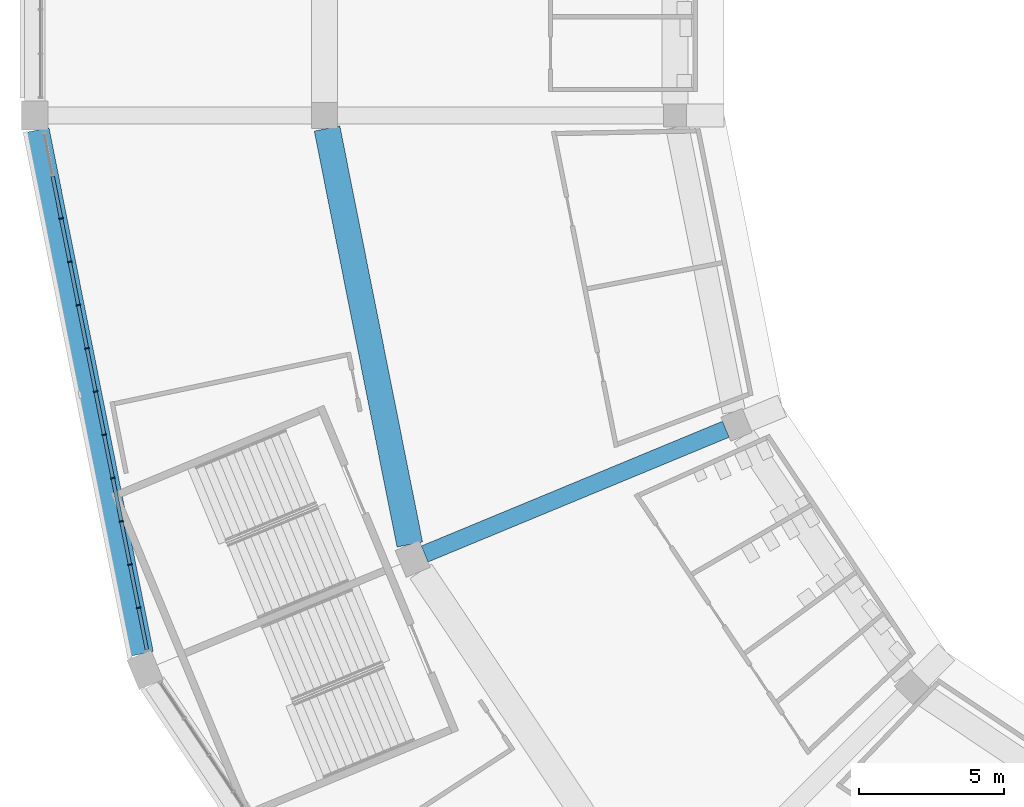
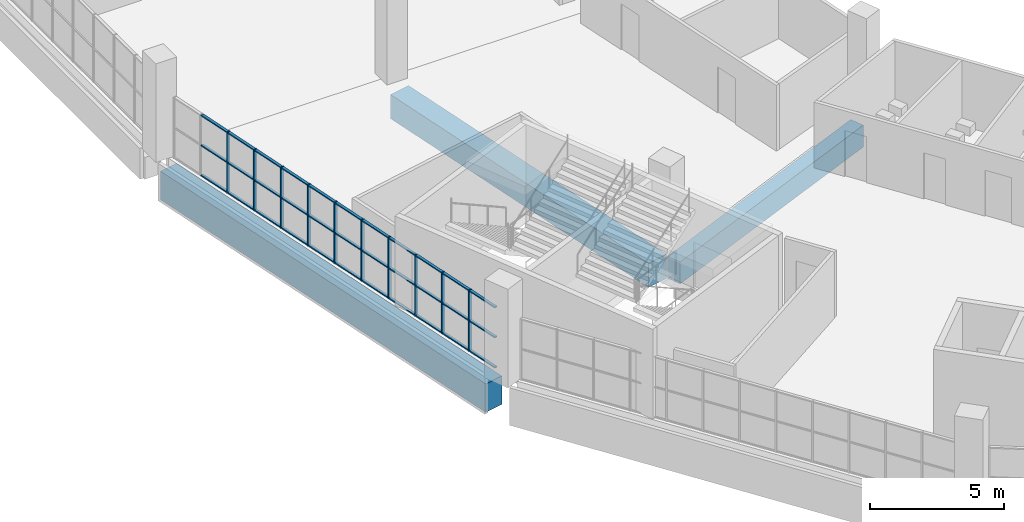
# One storey, part 8 of 199: 43 members, 3 beams, 1 element without a shape of its own.
"""IFC4 building model written with IfcOpenShell, lengths in metres."""

import ifcopenshell
import ifcopenshell.guid

model = None  # the IFC model being written
_history = None  # IfcOwnerHistory: only IFC2X3 demands one
_inside = {}  # id of a spatial element -> (the spatial element, [elements in it])
_under = {}  # id of a project, library or spatial element -> (it, [spatial elements below it])
_declared = {}  # id of a project -> (the project, [libraries it declares])
_typed = {}  # id of a type object -> (the type object, [elements of that type])
_made_of = {}  # id of a material, layer set ... -> (it, [elements and type objects made of it])


def new_model(schema):
    """Start an empty IFC model of exactly this schema.

    Asked for "IFC4X3", IfcOpenShell would pick the latest addendum, in which some entities
    have other attributes; the version numbers below select the first issue.
    IFC2X3 requires an IfcOwnerHistory on every rooted entity: one is made here for all.
    """
    global model, _history
    if schema == "IFC4X3":
        model = ifcopenshell.file(schema_version=(4, 3, 0, 0))
    else:
        model = ifcopenshell.file(schema=schema)
    _inside.clear()
    _under.clear()
    _declared.clear()
    _typed.clear()
    _made_of.clear()
    _history = None
    if model.schema == "IFC2X3":
        org = make("IfcOrganization", Name="unknown")
        user = make(
            "IfcPersonAndOrganization",
            ThePerson=make("IfcPerson", FamilyName="unknown"),
            TheOrganization=org,
        )
        app = make(
            "IfcApplication",
            ApplicationDeveloper=org,
            Version="unknown",
            ApplicationFullName="unknown",
            ApplicationIdentifier="unknown",
        )
        _history = make(
            "IfcOwnerHistory",
            OwningUser=user,
            OwningApplication=app,
            ChangeAction="ADDED",
            CreationDate=0,
        )
    return model


def make(cls, **values):
    """One entity of the class cls with the attributes given. An attribute that is None is left unset."""
    return model.create_entity(
        cls, **{name: value for name, value in values.items() if value is not None}
    )


def rooted(cls, **values):
    """An entity with a GlobalId (a new one), such as an element, a storey or a relation."""
    return make(cls, GlobalId=ifcopenshell.guid.new(), OwnerHistory=_history, **values)


def si_unit(unit_type, name, prefix=None):
    """IfcSIUnit, for example si_unit("LENGTHUNIT", "METRE", prefix="MILLI")."""
    return make("IfcSIUnit", UnitType=unit_type, Prefix=prefix, Name=name)


def assignment(units):
    """IfcUnitAssignment: the units of a project."""
    return None if units is None else make("IfcUnitAssignment", Units=units)


def point(xyz):
    """IfcCartesianPoint."""
    return None if xyz is None else make("IfcCartesianPoint", Coordinates=xyz)


def direction(xyz):
    """IfcDirection."""
    return None if xyz is None else make("IfcDirection", DirectionRatios=xyz)


def frame(location, z_axis=None, x_axis=None):
    """IfcAxis2Placement3D, a coordinate frame: its origin and axes. An axis left out is left unset."""
    return make(
        "IfcAxis2Placement3D",
        Location=point(location),
        Axis=direction(z_axis),
        RefDirection=direction(x_axis),
    )


def frame_2d(location, x_axis=None):
    """IfcAxis2Placement2D, a coordinate frame in the plane: its origin and x axis."""
    return make(
        "IfcAxis2Placement2D", Location=point(location), RefDirection=direction(x_axis)
    )


def origin():
    """The frame at (0, 0, 0) with its axes left unset."""
    return frame((0.0, 0.0, 0.0))


def origin_2d():
    """The frame at (0, 0) in the plane with its x axis left unset."""
    return frame_2d((0.0, 0.0))


def place(relative_to, where):
    """IfcLocalPlacement: puts the frame where relative to a parent placement (None: the world)."""
    return make(
        "IfcLocalPlacement", PlacementRelTo=relative_to, RelativePlacement=where
    )


def context(
    kind, dimensions, precision=None, world=None, true_north=None, identifier=None
):
    """IfcGeometricRepresentationContext, for example the 3D "Model" context."""
    return make(
        "IfcGeometricRepresentationContext",
        ContextIdentifier=identifier,
        ContextType=kind,
        CoordinateSpaceDimension=dimensions,
        Precision=precision,
        WorldCoordinateSystem=world,
        TrueNorth=true_north,
    )


def subcontext(parent, identifier, kind, view, scale=None):
    """IfcGeometricRepresentationSubContext, for example "Body" below "Model"."""
    return make(
        "IfcGeometricRepresentationSubContext",
        ContextIdentifier=identifier,
        ContextType=kind,
        ParentContext=parent,
        TargetScale=scale,
        TargetView=view,
    )


def project(units=None, contexts=None):
    """IfcProject with its units and contexts."""
    return rooted(
        "IfcProject",
        Name="project",
        RepresentationContexts=contexts,
        UnitsInContext=assignment(units),
    )


def spatial(cls, under=None, at=None, **own):
    """A site, building, storey or space (cls), placed at a placement, below another one or the project."""
    s = rooted(cls, ObjectPlacement=at, **own)
    if under is not None:
        _under.setdefault(under.id(), (under, []))[1].append(s)
    return s


def profile(cls, at=None, kind="AREA", **sizes):
    """A parametric profile (cls). Its sizes go by their IFC names, for example OverallWidth=200.0."""
    return make(cls, ProfileType=kind, Position=at, **sizes)


def rectangle(**sizes):
    """IfcRectangleProfileDef."""
    return profile("IfcRectangleProfileDef", **sizes)


def extrude(swept, where, along, depth):
    """IfcExtrudedAreaSolid: the profile swept, set in the frame where, extruded along a direction by depth."""
    return make(
        "IfcExtrudedAreaSolid",
        SweptArea=swept,
        Position=where,
        ExtrudedDirection=direction(along),
        Depth=depth,
    )


def shape(context_of_items, identifier, shape_type, items):
    """IfcShapeRepresentation: the items that make up one representation, for example the "Body"."""
    return make(
        "IfcShapeRepresentation",
        ContextOfItems=context_of_items,
        RepresentationIdentifier=identifier,
        RepresentationType=shape_type,
        Items=items,
    )


def material(Name=None, Category=None):
    """IfcMaterial."""
    return make("IfcMaterial", Name=Name, Category=Category)


def material_profile(
    of_material, cross_section, Name=None, Category=None, Priority=None
):
    """IfcMaterialProfile: a cross section and its material."""
    return make(
        "IfcMaterialProfile",
        Name=Name,
        Material=of_material,
        Profile=cross_section,
        Priority=Priority,
        Category=Category,
    )


def profile_set(profiles, Name=None, composite=None):
    """IfcMaterialProfileSet."""
    return make(
        "IfcMaterialProfileSet",
        Name=Name,
        MaterialProfiles=profiles,
        CompositeProfile=composite,
    )


def made_of(thing, what):
    """Note that an element or type object is made of a material, layer set ...; save() writes the relation."""
    if what is not None:
        _made_of.setdefault(what.id(), (what, []))[1].append(thing)
    return thing


def type_object(cls, material=None, **own):
    """A type object (cls), such as IfcWallType, which elements share."""
    return made_of(rooted(cls, **own), material)


def element(
    cls,
    number,
    at=None,
    inside=None,
    cuts=None,
    type_object=None,
    material=None,
    context=None,
    identifier="Body",
    shape_type=None,
    held_by="IfcProductDefinitionShape",
    body=None,
    shapes=None,
    **own,
):
    """One element of the class cls, such as IfcWall. Its Tag is "e" and its number.

    at: its placement. inside: the storey or other place that contains it. cuts: it is an
    opening in that element (IfcRelVoidsElement). A single representation is given by context,
    identifier, shape_type and body (its items); several are given by shapes. held_by: the class
    of the entity that holds the representations. save() writes the other relations.
    """
    e = rooted(cls, Tag="e%d" % number, ObjectPlacement=at, **own)
    if body is not None:
        shapes = [shape(context, identifier, shape_type, body)]
    if shapes is not None:
        e.Representation = make(held_by, Representations=shapes)
    if inside is not None:
        _inside.setdefault(inside.id(), (inside, []))[1].append(e)
    if cuts is not None:
        rooted(
            "IfcRelVoidsElement", RelatingBuildingElement=cuts, RelatedOpeningElement=e
        )
    if type_object is not None:
        _typed.setdefault(type_object.id(), (type_object, []))[1].append(e)
    return made_of(e, material)


def aggregate(whole, parts):
    """IfcRelAggregates: a whole, such as a stair, and the parts it consists of."""
    return rooted("IfcRelAggregates", RelatingObject=whole, RelatedObjects=parts)


def save(model, path):
    """Write the relations noted so far, then the file.

    IfcRelAggregates (storeys below a building ...), IfcRelContainedInSpatialStructure (elements
    in a storey), IfcRelDefinesByType, IfcRelAssociatesMaterial and IfcRelDeclares: one each for
    every whole, place, type object, material and project.
    """
    for whole, parts in _under.values():
        aggregate(whole, parts)
    for where, things in _inside.values():
        rooted(
            "IfcRelContainedInSpatialStructure",
            RelatedElements=things,
            RelatingStructure=where,
        )
    for kind, things in _typed.values():
        rooted("IfcRelDefinesByType", RelatedObjects=things, RelatingType=kind)
    for what, things in _made_of.values():
        rooted("IfcRelAssociatesMaterial", RelatedObjects=things, RelatingMaterial=what)
    for by, libraries in _declared.values():
        rooted("IfcRelDeclares", RelatingContext=by, RelatedDefinitions=libraries)
    model.write(path)


model = new_model("IFC4")

# Units and contexts
model_context = context("Model", 3, precision=1e-05, world=origin(), true_north=direction((0.0, 1.0)))
body_context = subcontext(model_context, "Body", "Model", "MODEL_VIEW")
ifc_project = project(units=[si_unit("LENGTHUNIT", "METRE"), si_unit("AREAUNIT", "SQUARE_METRE"), si_unit("VOLUMEUNIT", "CUBIC_METRE"), si_unit("PLANEANGLEUNIT", "RADIAN"), si_unit("MASSUNIT", "GRAM", prefix="KILO")], contexts=[model_context])

# Site, building, storey
site_placement = place(None, origin())
site = spatial("IfcSite", under=ifc_project, at=site_placement, CompositionType="ELEMENT")
building_placement = place(site_placement, origin())
building = spatial("IfcBuilding", under=site, at=building_placement, Name="Ogive Plaza Stadium", CompositionType="ELEMENT")
storey_placement = place(building_placement, frame((0.0, 0.0, 4.5)))
storey = spatial("IfcBuildingStorey", under=building, at=storey_placement, Name="L01", CompositionType="ELEMENT", Elevation=4.5)

# Curtain wall, members
ifc_material_1 = material(Name="Bronze-anodised aluminium with laminated glass", Category="aluminium")
curtain_wall_type = type_object("IfcCurtainWallType", Name="Lancet curtain wall", PredefinedType="NOTDEFINED", material=ifc_material_1)
curtain_wall_placement = place(storey_placement, origin())
curtain_wall = element("IfcCurtainWall", 1, at=curtain_wall_placement, inside=storey, type_object=curtain_wall_type, Name="CURTAIN WALL B20 L01", PredefinedType="NOTDEFINED")
ifc_material_2 = material(Name="Bronze-anodised aluminium", Category="aluminium")
ifc_material_profile_1 = material_profile(ifc_material_2, rectangle(XDim=0.14990234375, YDim=0.050048828125, at=origin_2d()), Name="AL 150x50")
ifc_profile_set_1 = profile_set([ifc_material_profile_1], Name="Bronze-anodised aluminium")
member_type_1 = type_object("IfcMemberType", Name="Curtain wall mullion 50x150", PredefinedType="MULLION", material=ifc_profile_set_1)
member_1_placement = place(storey_placement, frame((-80.415771484375, -69.49365234375, 0.0), z_axis=(0.0, 0.0, 1.0), x_axis=(-0.9807852804, -0.195090322033, 0.0)))
member_1 = element("IfcMember", 2, at=member_1_placement, type_object=member_type_1, Name="CW-B20-L01 mullion 2", PredefinedType="MULLION", context=body_context, shape_type="SweptSolid", body=[
    extrude(rectangle(XDim=0.14990234375, YDim=0.050048828125, at=origin_2d()), origin(), (0.0, 0.0, 1.0), 2.7900390625),
])
member_2_placement = place(storey_placement, frame((-80.712890625, -68.00048828125, 0.0), z_axis=(0.0, 0.0, 1.0), x_axis=(-0.9807852804, -0.195090322033, 0.0)))
member_2 = element("IfcMember", 3, at=member_2_placement, type_object=member_type_1, Name="CW-B20-L01 mullion 3", PredefinedType="MULLION", context=body_context, shape_type="SweptSolid", body=[
    extrude(rectangle(XDim=0.14990234375, YDim=0.050048828125, at=origin_2d()), origin(), (0.0, 0.0, 1.0), 2.7900390625),
])
member_3_placement = place(storey_placement, frame((-81.009765625, -66.50732421875, 0.0), z_axis=(0.0, 0.0, 1.0), x_axis=(-0.9807852804, -0.195090322033, 0.0)))
member_3 = element("IfcMember", 4, at=member_3_placement, type_object=member_type_1, Name="CW-B20-L01 mullion 4", PredefinedType="MULLION", context=body_context, shape_type="SweptSolid", body=[
    extrude(rectangle(XDim=0.14990234375, YDim=0.050048828125, at=origin_2d()), origin(), (0.0, 0.0, 1.0), 2.7900390625),
])
member_4_placement = place(storey_placement, frame((-81.306884765625, -65.01416015625, 0.0), z_axis=(0.0, 0.0, 1.0), x_axis=(-0.9807852804, -0.195090322033, 0.0)))
member_4 = element("IfcMember", 5, at=member_4_placement, type_object=member_type_1, Name="CW-B20-L01 mullion 5", PredefinedType="MULLION", context=body_context, shape_type="SweptSolid", body=[
    extrude(rectangle(XDim=0.14990234375, YDim=0.050048828125, at=origin_2d()), origin(), (0.0, 0.0, 1.0), 2.7900390625),
])
member_5_placement = place(storey_placement, frame((-81.603759765625, -63.521240234375, 0.0), z_axis=(0.0, 0.0, 1.0), x_axis=(-0.9807852804, -0.195090322033, 0.0)))
member_5 = element("IfcMember", 6, at=member_5_placement, type_object=member_type_1, Name="CW-B20-L01 mullion 6", PredefinedType="MULLION", context=body_context, shape_type="SweptSolid", body=[
    extrude(rectangle(XDim=0.14990234375, YDim=0.050048828125, at=origin_2d()), origin(), (0.0, 0.0, 1.0), 2.7900390625),
])
member_6_placement = place(storey_placement, frame((-81.90087890625, -62.028076171875, 0.0), z_axis=(0.0, 0.0, 1.0), x_axis=(-0.9807852804, -0.195090322033, 0.0)))
member_6 = element("IfcMember", 7, at=member_6_placement, type_object=member_type_1, Name="CW-B20-L01 mullion 7", PredefinedType="MULLION", context=body_context, shape_type="SweptSolid", body=[
    extrude(rectangle(XDim=0.14990234375, YDim=0.050048828125, at=origin_2d()), origin(), (0.0, 0.0, 1.0), 2.7900390625),
])
member_7_placement = place(storey_placement, frame((-82.19775390625, -60.534912109375, 0.0), z_axis=(0.0, 0.0, 1.0), x_axis=(-0.9807852804, -0.195090322033, 0.0)))
member_7 = element("IfcMember", 8, at=member_7_placement, type_object=member_type_1, Name="CW-B20-L01 mullion 8", PredefinedType="MULLION", context=body_context, shape_type="SweptSolid", body=[
    extrude(rectangle(XDim=0.14990234375, YDim=0.050048828125, at=origin_2d()), origin(), (0.0, 0.0, 1.0), 2.7900390625),
])
member_8_placement = place(storey_placement, frame((-82.494873046875, -59.0419921875, 0.0), z_axis=(0.0, 0.0, 1.0), x_axis=(-0.9807852804, -0.195090322033, 0.0)))
member_8 = element("IfcMember", 9, at=member_8_placement, type_object=member_type_1, Name="CW-B20-L01 mullion 9", PredefinedType="MULLION", context=body_context, shape_type="SweptSolid", body=[
    extrude(rectangle(XDim=0.14990234375, YDim=0.050048828125, at=origin_2d()), origin(), (0.0, 0.0, 1.0), 2.7900390625),
])
member_9_placement = place(storey_placement, frame((-82.791748046875, -57.548828125, 0.0), z_axis=(0.0, 0.0, 1.0), x_axis=(-0.9807852804, -0.195090322033, 0.0)))
member_9 = element("IfcMember", 10, at=member_9_placement, type_object=member_type_1, Name="CW-B20-L01 mullion 10", PredefinedType="MULLION", context=body_context, shape_type="SweptSolid", body=[
    extrude(rectangle(XDim=0.14990234375, YDim=0.050048828125, at=origin_2d()), origin(), (0.0, 0.0, 1.0), 2.7900390625),
])
member_10_placement = place(storey_placement, frame((-83.0888671875, -56.0556640625, 0.0), z_axis=(0.0, 0.0, 1.0), x_axis=(-0.9807852804, -0.195090322033, 0.0)))
member_10 = element("IfcMember", 11, at=member_10_placement, type_object=member_type_1, Name="CW-B20-L01 mullion 11", PredefinedType="MULLION", context=body_context, shape_type="SweptSolid", body=[
    extrude(rectangle(XDim=0.14990234375, YDim=0.050048828125, at=origin_2d()), origin(), (0.0, 0.0, 1.0), 2.7900390625),
])
ifc_material_3 = material(Name="Bronze-anodised aluminium", Category="aluminium")
ifc_material_profile_2 = material_profile(ifc_material_3, rectangle(XDim=0.1201171875, YDim=0.050048828125, at=origin_2d()), Name="AL 120x50")
ifc_profile_set_2 = profile_set([ifc_material_profile_2], Name="Bronze-anodised aluminium")
member_type_2 = type_object("IfcMemberType", Name="Curtain wall transom 50x120", PredefinedType="USERDEFINED", material=ifc_profile_set_2)
member_11_placement = place(storey_placement, frame((-80.128662109375, -70.9375, 0.02490234375), z_axis=(-0.195012996379, 0.98080065826, 0.0), x_axis=(-0.98080065826, -0.195012996379, 0.0)))
member_11 = element("IfcMember", 12, at=member_11_placement, type_object=member_type_2, Name="CW-B20-L01 transom 1.1", ObjectType="TRANSOM", PredefinedType="USERDEFINED", context=body_context, shape_type="SweptSolid", body=[
    extrude(rectangle(XDim=0.1201171875, YDim=0.050048828125, at=origin_2d()), origin(), (0.0, 0.0, 1.0), 1.447265625),
])
member_12_placement = place(storey_placement, frame((-80.128662109375, -70.9375, 1.39501953125), z_axis=(-0.195012996379, 0.98080065826, 0.0), x_axis=(-0.98080065826, -0.195012996379, 0.0)))
member_12 = element("IfcMember", 13, at=member_12_placement, type_object=member_type_2, Name="CW-B20-L01 transom 1.2", ObjectType="TRANSOM", PredefinedType="USERDEFINED", context=body_context, shape_type="SweptSolid", body=[
    extrude(rectangle(XDim=0.1201171875, YDim=0.050048828125, at=origin_2d()), origin(), (0.0, 0.0, 1.0), 1.447265625),
])
member_13_placement = place(storey_placement, frame((-80.128662109375, -70.9375, 2.764892578125), z_axis=(-0.195012996379, 0.98080065826, 0.0), x_axis=(-0.98080065826, -0.195012996379, 0.0)))
member_13 = element("IfcMember", 14, at=member_13_placement, type_object=member_type_2, Name="CW-B20-L01 transom 1.3", ObjectType="TRANSOM", PredefinedType="USERDEFINED", context=body_context, shape_type="SweptSolid", body=[
    extrude(rectangle(XDim=0.1201171875, YDim=0.050048828125, at=origin_2d()), origin(), (0.0, 0.0, 1.0), 1.447265625),
])
member_14_placement = place(storey_placement, frame((-80.420654296875, -69.468994140625, 0.02490234375), z_axis=(-0.195159440417, 0.980771529367, 0.0), x_axis=(-0.980771529367, -0.195159440417, 0.0)))
member_14 = element("IfcMember", 15, at=member_14_placement, type_object=member_type_2, Name="CW-B20-L01 transom 2.1", ObjectType="TRANSOM", PredefinedType="USERDEFINED", context=body_context, shape_type="SweptSolid", body=[
    extrude(rectangle(XDim=0.1201171875, YDim=0.050048828125, at=origin_2d()), origin(), (0.0, 0.0, 1.0), 1.472412109375),
])
member_15_placement = place(storey_placement, frame((-80.420654296875, -69.468994140625, 1.39501953125), z_axis=(-0.195159440417, 0.980771529367, 0.0), x_axis=(-0.980771529367, -0.195159440417, 0.0)))
member_15 = element("IfcMember", 16, at=member_15_placement, type_object=member_type_2, Name="CW-B20-L01 transom 2.2", ObjectType="TRANSOM", PredefinedType="USERDEFINED", context=body_context, shape_type="SweptSolid", body=[
    extrude(rectangle(XDim=0.1201171875, YDim=0.050048828125, at=origin_2d()), origin(), (0.0, 0.0, 1.0), 1.472412109375),
])
member_16_placement = place(storey_placement, frame((-80.420654296875, -69.468994140625, 2.764892578125), z_axis=(-0.195159440417, 0.980771529367, 0.0), x_axis=(-0.980771529367, -0.195159440417, 0.0)))
member_16 = element("IfcMember", 17, at=member_16_placement, type_object=member_type_2, Name="CW-B20-L01 transom 2.3", ObjectType="TRANSOM", PredefinedType="USERDEFINED", context=body_context, shape_type="SweptSolid", body=[
    extrude(rectangle(XDim=0.1201171875, YDim=0.050048828125, at=origin_2d()), origin(), (0.0, 0.0, 1.0), 1.472412109375),
])
member_17_placement = place(storey_placement, frame((-80.7177734375, -67.975830078125, 0.02490234375), z_axis=(-0.19503165555, 0.980796948065, 0.0), x_axis=(-0.980796948065, -0.19503165555, 0.0)))
member_17 = element("IfcMember", 18, at=member_17_placement, type_object=member_type_2, Name="CW-B20-L01 transom 3.1", ObjectType="TRANSOM", PredefinedType="USERDEFINED", context=body_context, shape_type="SweptSolid", body=[
    extrude(rectangle(XDim=0.1201171875, YDim=0.050048828125, at=origin_2d()), origin(), (0.0, 0.0, 1.0), 1.47216796875),
])
member_18_placement = place(storey_placement, frame((-80.7177734375, -67.975830078125, 1.39501953125), z_axis=(-0.19503165555, 0.980796948065, 0.0), x_axis=(-0.980796948065, -0.19503165555, 0.0)))
member_18 = element("IfcMember", 19, at=member_18_placement, type_object=member_type_2, Name="CW-B20-L01 transom 3.2", ObjectType="TRANSOM", PredefinedType="USERDEFINED", context=body_context, shape_type="SweptSolid", body=[
    extrude(rectangle(XDim=0.1201171875, YDim=0.050048828125, at=origin_2d()), origin(), (0.0, 0.0, 1.0), 1.47216796875),
])
member_19_placement = place(storey_placement, frame((-80.7177734375, -67.975830078125, 2.764892578125), z_axis=(-0.19503165555, 0.980796948065, 0.0), x_axis=(-0.980796948065, -0.19503165555, 0.0)))
member_19 = element("IfcMember", 20, at=member_19_placement, type_object=member_type_2, Name="CW-B20-L01 transom 3.3", ObjectType="TRANSOM", PredefinedType="USERDEFINED", context=body_context, shape_type="SweptSolid", body=[
    extrude(rectangle(XDim=0.1201171875, YDim=0.050048828125, at=origin_2d()), origin(), (0.0, 0.0, 1.0), 1.47216796875),
])
member_20_placement = place(storey_placement, frame((-81.0146484375, -66.48291015625, 0.02490234375), z_axis=(-0.195159440417, 0.980771529367, 0.0), x_axis=(-0.980771529367, -0.195159440417, 0.0)))
member_20 = element("IfcMember", 21, at=member_20_placement, type_object=member_type_2, Name="CW-B20-L01 transom 4.1", ObjectType="TRANSOM", PredefinedType="USERDEFINED", context=body_context, shape_type="SweptSolid", body=[
    extrude(rectangle(XDim=0.1201171875, YDim=0.050048828125, at=origin_2d()), origin(), (0.0, 0.0, 1.0), 1.472412109375),
])
member_21_placement = place(storey_placement, frame((-81.0146484375, -66.48291015625, 1.39501953125), z_axis=(-0.195159440417, 0.980771529367, 0.0), x_axis=(-0.980771529367, -0.195159440417, 0.0)))
member_21 = element("IfcMember", 22, at=member_21_placement, type_object=member_type_2, Name="CW-B20-L01 transom 4.2", ObjectType="TRANSOM", PredefinedType="USERDEFINED", context=body_context, shape_type="SweptSolid", body=[
    extrude(rectangle(XDim=0.1201171875, YDim=0.050048828125, at=origin_2d()), origin(), (0.0, 0.0, 1.0), 1.472412109375),
])
member_22_placement = place(storey_placement, frame((-81.0146484375, -66.48291015625, 2.764892578125), z_axis=(-0.195159440417, 0.980771529367, 0.0), x_axis=(-0.980771529367, -0.195159440417, 0.0)))
member_22 = element("IfcMember", 23, at=member_22_placement, type_object=member_type_2, Name="CW-B20-L01 transom 4.3", ObjectType="TRANSOM", PredefinedType="USERDEFINED", context=body_context, shape_type="SweptSolid", body=[
    extrude(rectangle(XDim=0.1201171875, YDim=0.050048828125, at=origin_2d()), origin(), (0.0, 0.0, 1.0), 1.472412109375),
])
member_23_placement = place(storey_placement, frame((-81.311767578125, -64.98974609375, 0.02490234375), z_axis=(-0.194999937042, 0.980803254763, 0.0), x_axis=(-0.980803254763, -0.194999937042, 0.0)))
member_23 = element("IfcMember", 24, at=member_23_placement, type_object=member_type_2, Name="CW-B20-L01 transom 5.1", ObjectType="TRANSOM", PredefinedType="USERDEFINED", context=body_context, shape_type="SweptSolid", body=[
    extrude(rectangle(XDim=0.1201171875, YDim=0.050048828125, at=origin_2d()), origin(), (0.0, 0.0, 1.0), 1.472412109375),
])
member_24_placement = place(storey_placement, frame((-81.311767578125, -64.98974609375, 1.39501953125), z_axis=(-0.194999937042, 0.980803254763, 0.0), x_axis=(-0.980803254763, -0.194999937042, 0.0)))
member_24 = element("IfcMember", 25, at=member_24_placement, type_object=member_type_2, Name="CW-B20-L01 transom 5.2", ObjectType="TRANSOM", PredefinedType="USERDEFINED", context=body_context, shape_type="SweptSolid", body=[
    extrude(rectangle(XDim=0.1201171875, YDim=0.050048828125, at=origin_2d()), origin(), (0.0, 0.0, 1.0), 1.472412109375),
])
member_25_placement = place(storey_placement, frame((-81.311767578125, -64.98974609375, 2.764892578125), z_axis=(-0.194999937042, 0.980803254763, 0.0), x_axis=(-0.980803254763, -0.194999937042, 0.0)))
member_25 = element("IfcMember", 26, at=member_25_placement, type_object=member_type_2, Name="CW-B20-L01 transom 5.3", ObjectType="TRANSOM", PredefinedType="USERDEFINED", context=body_context, shape_type="SweptSolid", body=[
    extrude(rectangle(XDim=0.1201171875, YDim=0.050048828125, at=origin_2d()), origin(), (0.0, 0.0, 1.0), 1.472412109375),
])
member_26_placement = place(storey_placement, frame((-81.608642578125, -63.49658203125, 0.02490234375), z_axis=(-0.195159440417, 0.980771529367, 0.0), x_axis=(-0.980771529367, -0.195159440417, 0.0)))
member_26 = element("IfcMember", 27, at=member_26_placement, type_object=member_type_2, Name="CW-B20-L01 transom 6.1", ObjectType="TRANSOM", PredefinedType="USERDEFINED", context=body_context, shape_type="SweptSolid", body=[
    extrude(rectangle(XDim=0.1201171875, YDim=0.050048828125, at=origin_2d()), origin(), (0.0, 0.0, 1.0), 1.472412109375),
])
member_27_placement = place(storey_placement, frame((-81.608642578125, -63.49658203125, 1.39501953125), z_axis=(-0.195159440417, 0.980771529367, 0.0), x_axis=(-0.980771529367, -0.195159440417, 0.0)))
member_27 = element("IfcMember", 28, at=member_27_placement, type_object=member_type_2, Name="CW-B20-L01 transom 6.2", ObjectType="TRANSOM", PredefinedType="USERDEFINED", context=body_context, shape_type="SweptSolid", body=[
    extrude(rectangle(XDim=0.1201171875, YDim=0.050048828125, at=origin_2d()), origin(), (0.0, 0.0, 1.0), 1.472412109375),
])
member_28_placement = place(storey_placement, frame((-81.608642578125, -63.49658203125, 2.764892578125), z_axis=(-0.195159440417, 0.980771529367, 0.0), x_axis=(-0.980771529367, -0.195159440417, 0.0)))
member_28 = element("IfcMember", 29, at=member_28_placement, type_object=member_type_2, Name="CW-B20-L01 transom 6.3", ObjectType="TRANSOM", PredefinedType="USERDEFINED", context=body_context, shape_type="SweptSolid", body=[
    extrude(rectangle(XDim=0.1201171875, YDim=0.050048828125, at=origin_2d()), origin(), (0.0, 0.0, 1.0), 1.472412109375),
])
member_29_placement = place(storey_placement, frame((-81.90576171875, -62.003662109375, 0.02490234375), z_axis=(-0.194999937042, 0.980803254763, 0.0), x_axis=(-0.980803254763, -0.194999937042, 0.0)))
member_29 = element("IfcMember", 30, at=member_29_placement, type_object=member_type_2, Name="CW-B20-L01 transom 7.1", ObjectType="TRANSOM", PredefinedType="USERDEFINED", context=body_context, shape_type="SweptSolid", body=[
    extrude(rectangle(XDim=0.1201171875, YDim=0.050048828125, at=origin_2d()), origin(), (0.0, 0.0, 1.0), 1.472412109375),
])
member_30_placement = place(storey_placement, frame((-81.90576171875, -62.003662109375, 1.39501953125), z_axis=(-0.194999937042, 0.980803254763, 0.0), x_axis=(-0.980803254763, -0.194999937042, 0.0)))
member_30 = element("IfcMember", 31, at=member_30_placement, type_object=member_type_2, Name="CW-B20-L01 transom 7.2", ObjectType="TRANSOM", PredefinedType="USERDEFINED", context=body_context, shape_type="SweptSolid", body=[
    extrude(rectangle(XDim=0.1201171875, YDim=0.050048828125, at=origin_2d()), origin(), (0.0, 0.0, 1.0), 1.472412109375),
])
member_31_placement = place(storey_placement, frame((-81.90576171875, -62.003662109375, 2.764892578125), z_axis=(-0.194999937042, 0.980803254763, 0.0), x_axis=(-0.980803254763, -0.194999937042, 0.0)))
member_31 = element("IfcMember", 32, at=member_31_placement, type_object=member_type_2, Name="CW-B20-L01 transom 7.3", ObjectType="TRANSOM", PredefinedType="USERDEFINED", context=body_context, shape_type="SweptSolid", body=[
    extrude(rectangle(XDim=0.1201171875, YDim=0.050048828125, at=origin_2d()), origin(), (0.0, 0.0, 1.0), 1.472412109375),
])
member_32_placement = place(storey_placement, frame((-82.20263671875, -60.510498046875, 0.02490234375), z_axis=(-0.195159440417, 0.980771529367, 0.0), x_axis=(-0.980771529367, -0.195159440417, 0.0)))
member_32 = element("IfcMember", 33, at=member_32_placement, type_object=member_type_2, Name="CW-B20-L01 transom 8.1", ObjectType="TRANSOM", PredefinedType="USERDEFINED", context=body_context, shape_type="SweptSolid", body=[
    extrude(rectangle(XDim=0.1201171875, YDim=0.050048828125, at=origin_2d()), origin(), (0.0, 0.0, 1.0), 1.472412109375),
])
member_33_placement = place(storey_placement, frame((-82.20263671875, -60.510498046875, 1.39501953125), z_axis=(-0.195159440417, 0.980771529367, 0.0), x_axis=(-0.980771529367, -0.195159440417, 0.0)))
member_33 = element("IfcMember", 34, at=member_33_placement, type_object=member_type_2, Name="CW-B20-L01 transom 8.2", ObjectType="TRANSOM", PredefinedType="USERDEFINED", context=body_context, shape_type="SweptSolid", body=[
    extrude(rectangle(XDim=0.1201171875, YDim=0.050048828125, at=origin_2d()), origin(), (0.0, 0.0, 1.0), 1.472412109375),
])
member_34_placement = place(storey_placement, frame((-82.20263671875, -60.510498046875, 2.764892578125), z_axis=(-0.195159440417, 0.980771529367, 0.0), x_axis=(-0.980771529367, -0.195159440417, 0.0)))
member_34 = element("IfcMember", 35, at=member_34_placement, type_object=member_type_2, Name="CW-B20-L01 transom 8.3", ObjectType="TRANSOM", PredefinedType="USERDEFINED", context=body_context, shape_type="SweptSolid", body=[
    extrude(rectangle(XDim=0.1201171875, YDim=0.050048828125, at=origin_2d()), origin(), (0.0, 0.0, 1.0), 1.472412109375),
])
member_35_placement = place(storey_placement, frame((-82.499755859375, -59.017333984375, 0.02490234375), z_axis=(-0.194999937042, 0.980803254763, 0.0), x_axis=(-0.980803254763, -0.194999937042, 0.0)))
member_35 = element("IfcMember", 36, at=member_35_placement, type_object=member_type_2, Name="CW-B20-L01 transom 9.1", ObjectType="TRANSOM", PredefinedType="USERDEFINED", context=body_context, shape_type="SweptSolid", body=[
    extrude(rectangle(XDim=0.1201171875, YDim=0.050048828125, at=origin_2d()), origin(), (0.0, 0.0, 1.0), 1.472412109375),
])
member_36_placement = place(storey_placement, frame((-82.499755859375, -59.017333984375, 1.39501953125), z_axis=(-0.194999937042, 0.980803254763, 0.0), x_axis=(-0.980803254763, -0.194999937042, 0.0)))
member_36 = element("IfcMember", 37, at=member_36_placement, type_object=member_type_2, Name="CW-B20-L01 transom 9.2", ObjectType="TRANSOM", PredefinedType="USERDEFINED", context=body_context, shape_type="SweptSolid", body=[
    extrude(rectangle(XDim=0.1201171875, YDim=0.050048828125, at=origin_2d()), origin(), (0.0, 0.0, 1.0), 1.472412109375),
])
member_37_placement = place(storey_placement, frame((-82.499755859375, -59.017333984375, 2.764892578125), z_axis=(-0.194999937042, 0.980803254763, 0.0), x_axis=(-0.980803254763, -0.194999937042, 0.0)))
member_37 = element("IfcMember", 38, at=member_37_placement, type_object=member_type_2, Name="CW-B20-L01 transom 9.3", ObjectType="TRANSOM", PredefinedType="USERDEFINED", context=body_context, shape_type="SweptSolid", body=[
    extrude(rectangle(XDim=0.1201171875, YDim=0.050048828125, at=origin_2d()), origin(), (0.0, 0.0, 1.0), 1.472412109375),
])
member_38_placement = place(storey_placement, frame((-82.796630859375, -57.524169921875, 0.02490234375), z_axis=(-0.195191182816, 0.980765212551, 0.0), x_axis=(-0.980765212551, -0.195191182816, 0.0)))
member_38 = element("IfcMember", 39, at=member_38_placement, type_object=member_type_2, Name="CW-B20-L01 transom 10.1", ObjectType="TRANSOM", PredefinedType="USERDEFINED", context=body_context, shape_type="SweptSolid", body=[
    extrude(rectangle(XDim=0.1201171875, YDim=0.050048828125, at=origin_2d()), origin(), (0.0, 0.0, 1.0), 1.47216796875),
])
member_39_placement = place(storey_placement, frame((-82.796630859375, -57.524169921875, 1.39501953125), z_axis=(-0.195191182816, 0.980765212551, 0.0), x_axis=(-0.980765212551, -0.195191182816, 0.0)))
member_39 = element("IfcMember", 40, at=member_39_placement, type_object=member_type_2, Name="CW-B20-L01 transom 10.2", ObjectType="TRANSOM", PredefinedType="USERDEFINED", context=body_context, shape_type="SweptSolid", body=[
    extrude(rectangle(XDim=0.1201171875, YDim=0.050048828125, at=origin_2d()), origin(), (0.0, 0.0, 1.0), 1.47216796875),
])
member_40_placement = place(storey_placement, frame((-82.796630859375, -57.524169921875, 2.764892578125), z_axis=(-0.195191182816, 0.980765212551, 0.0), x_axis=(-0.980765212551, -0.195191182816, 0.0)))
member_40 = element("IfcMember", 41, at=member_40_placement, type_object=member_type_2, Name="CW-B20-L01 transom 10.3", ObjectType="TRANSOM", PredefinedType="USERDEFINED", context=body_context, shape_type="SweptSolid", body=[
    extrude(rectangle(XDim=0.1201171875, YDim=0.050048828125, at=origin_2d()), origin(), (0.0, 0.0, 1.0), 1.47216796875),
])
member_41_placement = place(storey_placement, frame((-83.09375, -56.03125, 0.02490234375), z_axis=(-0.194999937042, 0.980803254763, 0.0), x_axis=(-0.980803254763, -0.194999937042, 0.0)))
member_41 = element("IfcMember", 42, at=member_41_placement, type_object=member_type_2, Name="CW-B20-L01 transom 11.1", ObjectType="TRANSOM", PredefinedType="USERDEFINED", context=body_context, shape_type="SweptSolid", body=[
    extrude(rectangle(XDim=0.1201171875, YDim=0.050048828125, at=origin_2d()), origin(), (0.0, 0.0, 1.0), 1.472412109375),
])
member_42_placement = place(storey_placement, frame((-83.09375, -56.03125, 1.39501953125), z_axis=(-0.194999937042, 0.980803254763, 0.0), x_axis=(-0.980803254763, -0.194999937042, 0.0)))
member_42 = element("IfcMember", 43, at=member_42_placement, type_object=member_type_2, Name="CW-B20-L01 transom 11.2", ObjectType="TRANSOM", PredefinedType="USERDEFINED", context=body_context, shape_type="SweptSolid", body=[
    extrude(rectangle(XDim=0.1201171875, YDim=0.050048828125, at=origin_2d()), origin(), (0.0, 0.0, 1.0), 1.472412109375),
])
member_43_placement = place(storey_placement, frame((-83.09375, -56.03125, 2.764892578125), z_axis=(-0.194999937042, 0.980803254763, 0.0), x_axis=(-0.980803254763, -0.194999937042, 0.0)))
member_43 = element("IfcMember", 44, at=member_43_placement, type_object=member_type_2, Name="CW-B20-L01 transom 11.3", ObjectType="TRANSOM", PredefinedType="USERDEFINED", context=body_context, shape_type="SweptSolid", body=[
    extrude(rectangle(XDim=0.1201171875, YDim=0.050048828125, at=origin_2d()), origin(), (0.0, 0.0, 1.0), 1.472412109375),
])
aggregate(curtain_wall, [member_1, member_2, member_3, member_4, member_5, member_6, member_7, member_8, member_9, member_10, member_11, member_12, member_13, member_14, member_15, member_16, member_17, member_18, member_19, member_20, member_21, member_22, member_23, member_24, member_25, member_26, member_27, member_28, member_29, member_30, member_31, member_32, member_33, member_34, member_35, member_36, member_37, member_38, member_39, member_40, member_41, member_42, member_43])

# Beams
ifc_material_4 = material(Name="Concrete C40/50", Category="concrete")
ifc_material_profile_3 = material_profile(ifc_material_4, rectangle(XDim=0.60009765625, YDim=1.0, at=origin_2d()), Name="RC 600x1000")
ifc_profile_set_3 = profile_set([ifc_material_profile_3], Name="Concrete C40/50")
beam_type_1 = type_object("IfcBeamType", Name="RC radial beam 600x1000", PredefinedType="BEAM", material=ifc_profile_set_3)
beam_1_placement = place(storey_placement, frame((-60.145751953125, -63.329833984375, -0.909912109375), z_axis=(-0.92388194159, -0.382677616283, 0.0), x_axis=(0.382677616283, -0.92388194159, 0.0)))
element("IfcBeam", 45, at=beam_1_placement, inside=storey, type_object=beam_type_1, Name="Radial beam L01 R20 F3F4", PredefinedType="BEAM", context=body_context, shape_type="SweptSolid", body=[
    extrude(rectangle(XDim=0.60009765625, YDim=1.0, at=origin_2d()), origin(), (0.0, 0.0, 1.0), 11.250244140625),
])
ifc_material_5 = material(Name="Concrete C40/50", Category="concrete")
ifc_material_profile_4 = material_profile(ifc_material_5, rectangle(XDim=0.89990234375, YDim=1.10009765625, at=origin_2d()), Name="RC 900x1100")
ifc_profile_set_4 = profile_set([ifc_material_profile_4], Name="Concrete C40/50")
beam_type_2 = type_object("IfcBeamType", Name="RC ring beam 900x1100", PredefinedType="BEAM", material=ifc_profile_set_4)
beam_2_placement = place(storey_placement, frame((-71.0546875, -67.307373046875, -0.9599609375), z_axis=(-0.195080078519, 0.980787317906, 0.0), x_axis=(-0.980787317906, -0.195080078519, 0.0)))
element("IfcBeam", 46, at=beam_2_placement, inside=storey, type_object=beam_type_2, Name="Ring beam F4 L01 B20", PredefinedType="BEAM", context=body_context, shape_type="SweptSolid", body=[
    extrude(rectangle(XDim=0.89990234375, YDim=1.10009765625, at=origin_2d()), origin(), (0.0, 0.0, 1.0), 14.638671875),
])
ifc_material_6 = material(Name="Concrete C40/50", Category="concrete")
ifc_material_profile_5 = material_profile(ifc_material_6, rectangle(XDim=0.800048828125, YDim=1.300048828125, at=origin_2d()), Name="RC 800x1300")
ifc_profile_set_5 = profile_set([ifc_material_profile_5], Name="Concrete C40/50")
beam_type_3 = type_object("IfcBeamType", Name="RC spandrel beam 800x1300", PredefinedType="SPANDREL", material=ifc_profile_set_5)
beam_3_placement = place(storey_placement, frame((-80.303466796875, -71.084228515625, -1.06005859375), z_axis=(-0.195089866178, 0.980785371075, 0.0), x_axis=(-0.980785371075, -0.195089866178, 0.0)))
element("IfcBeam", 47, at=beam_3_placement, inside=storey, type_object=beam_type_3, Name="Ring beam F5 L01 B20", PredefinedType="SPANDREL", context=body_context, shape_type="SweptSolid", body=[
    extrude(rectangle(XDim=0.800048828125, YDim=1.300048828125, at=origin_2d()), origin(), (0.0, 0.0, 1.0), 18.4384765625),
])

save(model, "model.ifc")
